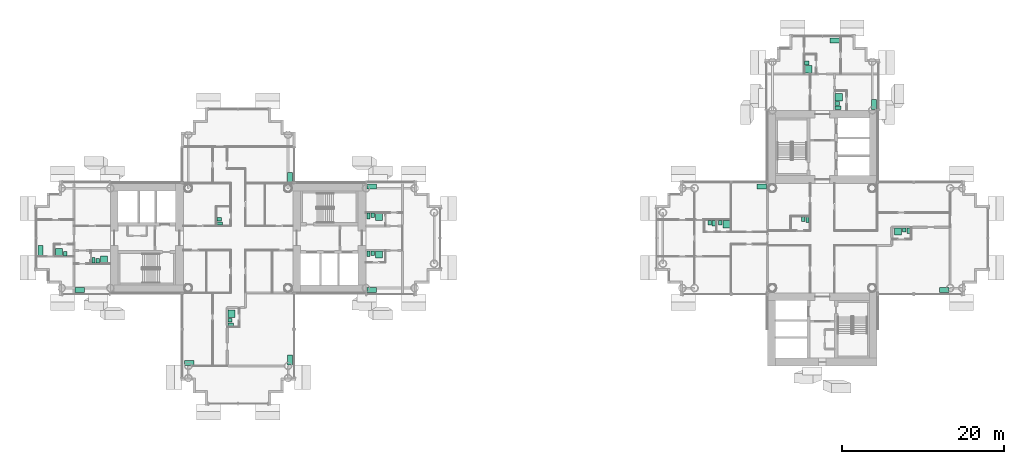
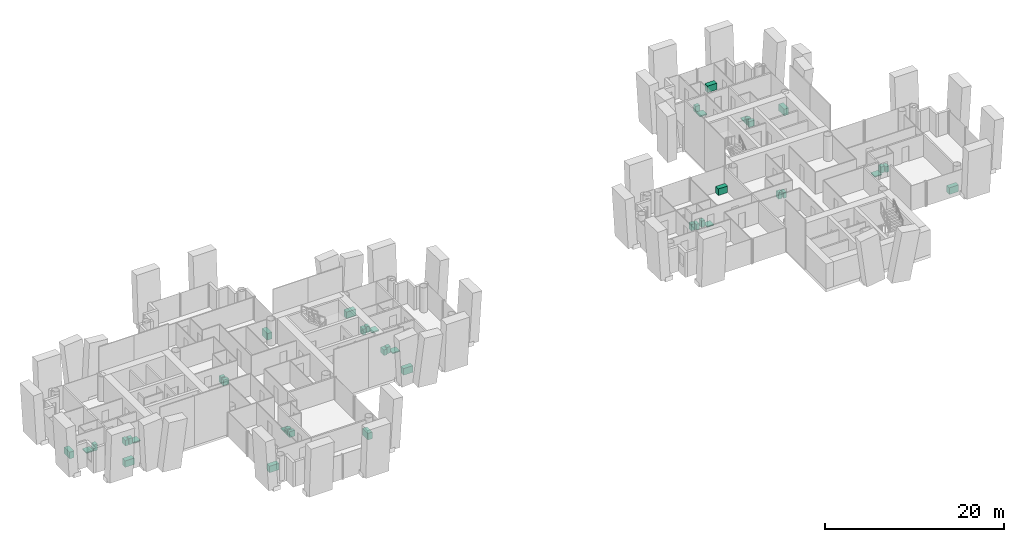
# One storey, part 21 of 21: 41 sanitary terminals.
"""IFC4 building model written with IfcOpenShell, lengths in metres."""

from ifc_helpers import new_model, si_unit, direction, frame, origin, origin_2d, place, context, subcontext, project, spatial, rectangle, extrude, material, type_object, element, save


model = new_model("IFC4")

# Units and contexts
model_context = context("Model", 3, precision=1e-05, world=origin(), true_north=direction((0.0, 1.0)))
body_context = subcontext(model_context, "Body", "Model", "MODEL_VIEW")
ifc_project = project(units=[si_unit("LENGTHUNIT", "METRE"), si_unit("AREAUNIT", "SQUARE_METRE"), si_unit("VOLUMEUNIT", "CUBIC_METRE"), si_unit("PLANEANGLEUNIT", "RADIAN"), si_unit("MASSUNIT", "GRAM", prefix="KILO")], contexts=[model_context])

# Site, building, storey
site_placement = place(None, origin())
site = spatial("IfcSite", under=ifc_project, at=site_placement, CompositionType="ELEMENT")
building_placement = place(site_placement, origin())
building = spatial("IfcBuilding", under=site, at=building_placement, Name="Ipe Terrace Towers", CompositionType="ELEMENT")
storey_placement = place(building_placement, frame((0.0, 0.0, 107.199951171875)))
storey = spatial("IfcBuildingStorey", under=building, at=storey_placement, Name="L29", CompositionType="ELEMENT", Elevation=107.199951171875)

# Sanitary terminals
ifc_material_1 = material(Name="Stainless sink unit", Category="metal")
sanitary_terminal_type_1 = type_object("IfcSanitaryTerminalType", Name="Kitchen sink unit", PredefinedType="SINK", material=ifc_material_1)
for number, where, z_axis, x_axis, name in (
    (1, (-29.6201171875, 7.469970703125, 0.0), (0.0, 0.0, 1.0), (0.0, -1.0, 0.0), "Kitchen sink unit"),
    (2, (-29.6201171875, -15.030029296875, 0.0), (0.0, 0.0, 1.0), (0.0, -1.0, 0.0), "Kitchen sink unit"),
    (3, (-42.030029296875, -15.3798828125, 0.0), (0.0, 0.0, 1.0), (-1.0, 0.0, 0.0), "Kitchen sink unit"),
    (4, (-19.530029296875, 6.3798828125, 0.0), (0.0, 0.0, 1.0), (1.0, 0.0, 0.0), "Kitchen sink unit"),
    (5, (-19.530029296875, -6.3798828125, 0.0), (0.0, 0.0, 1.0), (-1.0, 0.0, 0.0), "Kitchen sink unit"),
    (6, (-55.530029296875, -6.3798828125, 0.0), (0.0, 0.0, 1.0), (-1.0, 0.0, 0.0), "Kitchen sink unit"),
    (7, (-60.3798828125, -1.530029296875, 0.0), (0.0, 0.0, 1.0), (0.0, 1.0, 0.0), "Kitchen sink unit"),
    (8, (28.530029296875, 6.3798828125, 0.0), (0.0, 0.0, 1.0), (1.0, 0.0, 0.0), "Kitchen sink unit"),
    (9, (51.030029296875, -6.3798828125, 0.0), (0.0, 0.0, 1.0), (-1.0, 0.0, 0.0), "Kitchen sink unit"),
    (10, (42.3798828125, 16.469970703125, 0.0), (0.0, 0.0, 1.0), (0.0, -1.0, 0.0), "Kitchen sink unit"),
    (11, (37.530029296875, 24.3798828125, 0.0), (0.0, 0.0, 1.0), (1.0, 0.0, 0.0), "Kitchen sink unit"),
):
    element("IfcSanitaryTerminal", number, at=place(storey_placement, frame(where, z_axis=z_axis, x_axis=x_axis)), inside=storey, type_object=sanitary_terminal_type_1, Name=name, PredefinedType="SINK", context=body_context, shape_type="SweptSolid", body=[
        extrude(rectangle(XDim=1.199951171875, YDim=0.60009765625, at=origin_2d()), origin(), (0.0, 0.0, 1.0), 0.89990234375),
    ])
ifc_material_2 = material(Name="Acrylic", Category="plastic")
sanitary_terminal_type_2 = type_object("IfcSanitaryTerminalType", Name="Shower tray", PredefinedType="SHOWER", material=ifc_material_2)
for number, where, z_axis, x_axis, name in (
    (12, (-36.830078125, -9.330078125, 0.0), (0.0, 0.0, 1.0), (1.0, 0.0, 0.0), "Shower tray"),
    (13, (-18.6298828125, 2.6298828125, 0.0), (0.0, 0.0, 1.0), (0.0, -1.0, 0.0), "Shower tray"),
    (14, (-18.6298828125, -2.02001953125, 0.0), (0.0, 0.0, 1.0), (0.0, -1.0, 0.0), "Shower tray"),
    (15, (-52.530029296875, -2.6298828125, 0.0), (0.0, 0.0, 1.0), (0.0, 1.0, 0.0), "Shower tray"),
    (16, (-58.080078125, -1.72998046875, 0.0), (0.0, 0.0, 1.0), (0.0, 1.0, 0.0), "Shower tray"),
    (17, (24.179931640625, 1.72998046875, 0.0), (0.0, 0.0, 1.0), (0.0, -1.0, 0.0), "Shower tray"),
    (18, (45.330078125, 0.830078125, 0.0), (0.0, 0.0, 1.0), (0.0, -1.0, 0.0), "Shower tray"),
    (19, (38.02001953125, 17.3701171875, 0.0), (0.0, 0.0, 1.0), (1.0, 0.0, 0.0), "Shower tray"),
    (20, (34.27001953125, 20.820068359375, 0.0), (0.0, 0.0, 1.0), (1.0, 0.0, 0.0), "Shower tray"),
):
    element("IfcSanitaryTerminal", number, at=place(storey_placement, frame(where, z_axis=z_axis, x_axis=x_axis)), inside=storey, type_object=sanitary_terminal_type_2, Name=name, PredefinedType="SHOWER", context=body_context, shape_type="SweptSolid", body=[
        extrude(rectangle(XDim=0.89990234375, YDim=0.89990234375, at=origin_2d()), origin(), (0.0, 0.0, 1.0), 0.14990234375),
    ])
ifc_material_3 = material(Name="Vitreous china", Category="ceramic")
sanitary_terminal_type_3 = type_object("IfcSanitaryTerminalType", Name="Wash basin", PredefinedType="WASHHANDBASIN", material=ifc_material_3)
for number, where, z_axis, x_axis, name in (
    (21, (-38.35498046875, 2.344970703125, 0.0), (0.0, 0.0, 1.0), (1.0, 0.0, 0.0), "Wash basin"),
    (22, (-37.0048828125, -10.10498046875, 0.0), (0.0, 0.0, 1.0), (1.0, 0.0, 0.0), "Wash basin"),
    (23, (-19.405029296875, 2.804931640625, 0.0), (0.0, 0.0, 1.0), (0.0, -1.0, 0.0), "Wash basin"),
    (24, (-19.405029296875, -1.844970703125, 0.0), (0.0, 0.0, 1.0), (0.0, -1.0, 0.0), "Wash basin"),
    (25, (-53.304931640625, -2.804931640625, 0.0), (0.0, 0.0, 1.0), (0.0, 1.0, 0.0), "Wash basin"),
    (26, (-57.304931640625, -1.905029296875, 0.0), (0.0, 0.0, 1.0), (0.0, 1.0, 0.0), "Wash basin"),
    (27, (33.655029296875, 2.35498046875, 0.0), (0.0, 0.0, 1.0), (0.0, -1.0, 0.0), "Wash basin"),
    (28, (23.405029296875, 1.905029296875, 0.0), (0.0, 0.0, 1.0), (0.0, -1.0, 0.0), "Wash basin"),
    (29, (22.10498046875, 1.905029296875, 0.0), (0.0, 0.0, 1.0), (0.0, -1.0, 0.0), "Wash basin"),
    (30, (46.10498046875, 1.0048828125, 0.0), (0.0, 0.0, 1.0), (0.0, -1.0, 0.0), "Wash basin"),
    (31, (37.844970703125, 16.594970703125, 0.0), (0.0, 0.0, 1.0), (1.0, 0.0, 0.0), "Wash basin"),
    (32, (34.094970703125, 21.594970703125, 0.0), (0.0, 0.0, 1.0), (1.0, 0.0, 0.0), "Wash basin"),
):
    element("IfcSanitaryTerminal", number, at=place(storey_placement, frame(where, z_axis=z_axis, x_axis=x_axis)), inside=storey, type_object=sanitary_terminal_type_3, Name=name, PredefinedType="WASHHANDBASIN", context=body_context, shape_type="SweptSolid", body=[
        extrude(rectangle(XDim=0.550048828125, YDim=0.449951171875, at=origin_2d()), origin(), (0.0, 0.0, 1.0), 0.85009765625),
    ])
ifc_material_4 = material(Name="Vitreous china", Category="ceramic")
sanitary_terminal_type_4 = type_object("IfcSanitaryTerminalType", Name="Water closet", PredefinedType="TOILETPAN", material=ifc_material_4)
for number, where, z_axis, x_axis, name in (
    (33, (-38.280029296875, 1.820068359375, 0.0), (0.0, 0.0, 1.0), (1.0, 0.0, 0.0), "Water closet"),
    (34, (-36.929931640625, -10.6298828125, 0.0), (0.0, 0.0, 1.0), (1.0, 0.0, 0.0), "Water closet"),
    (35, (-19.929931640625, 2.72998046875, 0.0), (0.0, 0.0, 1.0), (0.0, -1.0, 0.0), "Water closet"),
    (36, (-19.929931640625, -1.919921875, 0.0), (0.0, 0.0, 1.0), (0.0, -1.0, 0.0), "Water closet"),
    (37, (-53.830078125, -2.72998046875, 0.0), (0.0, 0.0, 1.0), (0.0, 1.0, 0.0), "Water closet"),
    (38, (34.179931640625, 2.280029296875, 0.0), (0.0, 0.0, 1.0), (0.0, -1.0, 0.0), "Water closet"),
    (39, (22.6298828125, 1.830078125, 0.0), (0.0, 0.0, 1.0), (0.0, -1.0, 0.0), "Water closet"),
    (40, (46.6298828125, 0.929931640625, 0.0), (0.0, 0.0, 1.0), (0.0, -1.0, 0.0), "Water closet"),
    (41, (37.919921875, 16.070068359375, 0.0), (0.0, 0.0, 1.0), (1.0, 0.0, 0.0), "Water closet"),
):
    element("IfcSanitaryTerminal", number, at=place(storey_placement, frame(where, z_axis=z_axis, x_axis=x_axis)), inside=storey, type_object=sanitary_terminal_type_4, Name=name, PredefinedType="TOILETPAN", context=body_context, shape_type="SweptSolid", body=[
        extrude(rectangle(XDim=0.699951171875, YDim=0.39990234375, at=origin_2d()), origin(), (0.0, 0.0, 1.0), 0.780029296875),
    ])

save(model, "model.ifc")
